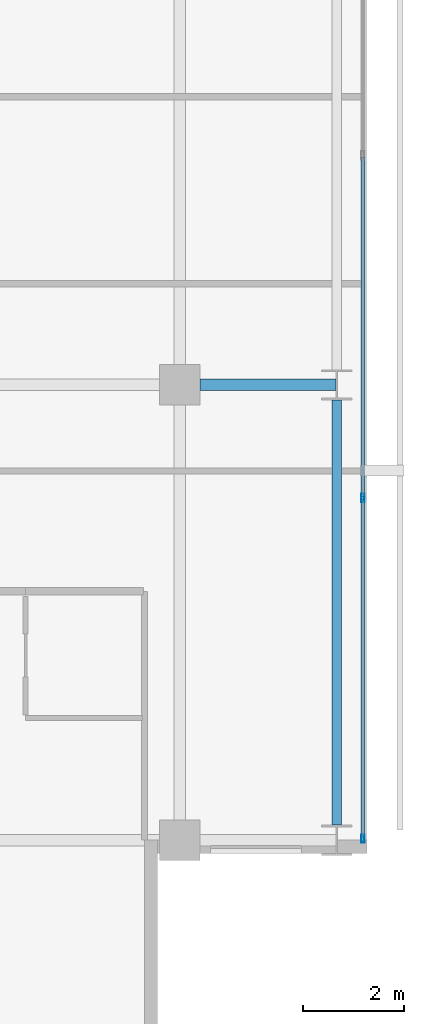
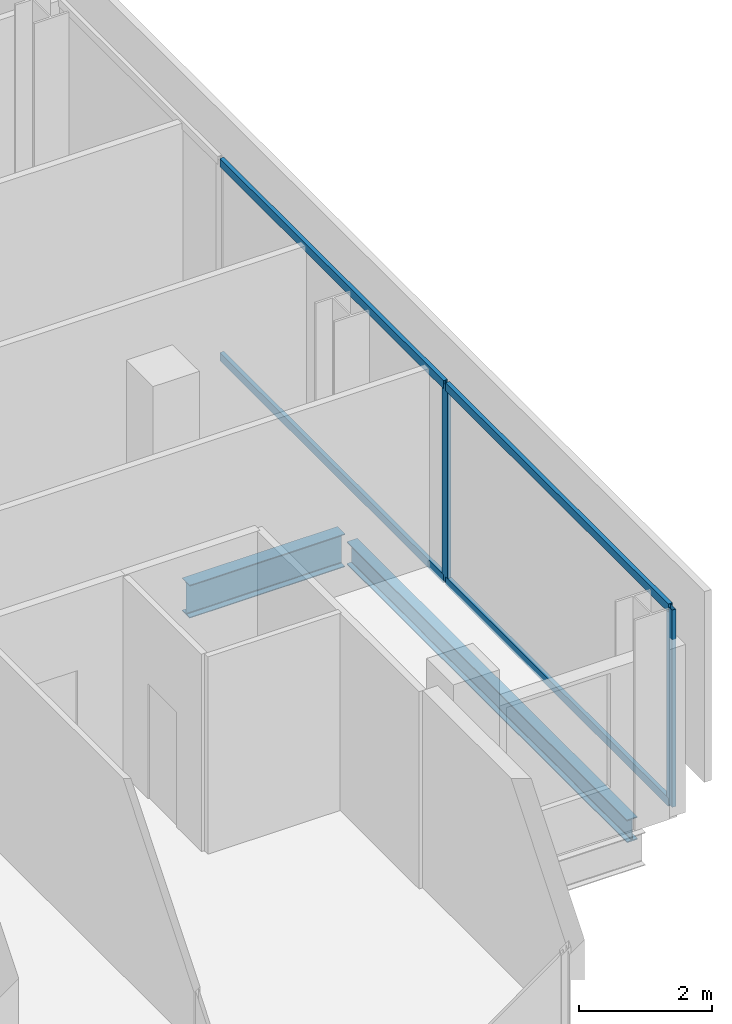
# One storey, part 15 of 34: 6 members, 2 beams, 1 element without a shape of its own.
"""IFC4 building model written with IfcOpenShell, lengths in metres."""

from ifc_helpers import new_model, si_unit, direction, frame, origin, origin_2d, place, context, subcontext, project, spatial, hollow_rectangle, i_section, extrude, material, layer, layer_set, material_profile, profile_set, type_object, element, aggregate, save


model = new_model("IFC4")

# Units and contexts
model_context = context("Model", 3, precision=1e-05, world=origin(), true_north=direction((0.0, 1.0)))
body_context = subcontext(model_context, "Body", "Model", "MODEL_VIEW")
ifc_project = project(units=[si_unit("LENGTHUNIT", "METRE"), si_unit("AREAUNIT", "SQUARE_METRE"), si_unit("VOLUMEUNIT", "CUBIC_METRE"), si_unit("PLANEANGLEUNIT", "RADIAN"), si_unit("MASSUNIT", "GRAM", prefix="KILO")], contexts=[model_context])

# Site, building, storey
site_placement = place(None, origin())
site = spatial("IfcSite", under=ifc_project, at=site_placement, CompositionType="ELEMENT")
building_placement = place(site_placement, origin())
building = spatial("IfcBuilding", under=site, at=building_placement, Name="Maruvema Waterfront Hotel and Observation Tower", CompositionType="ELEMENT")
storey_placement = place(building_placement, frame((0.0, 0.0, 192.85009765625)))
storey = spatial("IfcBuildingStorey", under=building, at=storey_placement, Name="L47", CompositionType="ELEMENT", Elevation=192.85009765625)

# Curtain wall, members
ifc_material_1 = material(Name="Anodised bronze aluminium and solar-control low-E IGU", Category="aluminium")
ifc_layer = layer(ifc_material_1, 0.159912109375, Name="Zone 2 Amber Inner Thermal Curtain Wall System CW-03")
ifc_layer_set = layer_set([ifc_layer], Name="Anodised bronze aluminium and solar-control low-E IGU")
curtain_wall_type = type_object("IfcCurtainWallType", Name="Zone 2 Amber Inner Thermal Curtain Wall System CW-03", PredefinedType="USERDEFINED", material=ifc_layer_set)
curtain_wall_placement = place(storey_placement, origin())
curtain_wall = element("IfcCurtainWall", 1, at=curtain_wall_placement, inside=storey, type_object=curtain_wall_type, Name="L47 Curtain Wall CW-L47-E", ObjectType="UNITISED CURTAIN WALL", PredefinedType="USERDEFINED")
ifc_material_2 = material(Name="Anodised architectural bronze aluminium", Category="aluminium")
ifc_material_profile_1 = material_profile(ifc_material_2, hollow_rectangle(XDim=0.070068359375, YDim=0.14990234375, WallThickness=0.00390625, at=origin_2d()), Name="ALU-T70x150")
ifc_profile_set_1 = profile_set([ifc_material_profile_1], Name="Anodised architectural bronze aluminium")
member_type_1 = type_object("IfcMemberType", Name="Curtain Wall Horizontal Transom ALU-T70x150", PredefinedType="USERDEFINED", material=ifc_profile_set_1)
member_1_placement = place(storey_placement, frame((62.419921875, 9.06005859375, 0.02978515625), z_axis=(0.0, 1.0, 0.0), x_axis=(-1.0, 0.0, 0.0)))
member_1 = element("IfcMember", 2, at=member_1_placement, type_object=member_type_1, Name="CW-03 transom 1.1", ObjectType="TRANSOM", PredefinedType="USERDEFINED", context=body_context, shape_type="SweptSolid", body=[
    extrude(hollow_rectangle(XDim=0.070068359375, YDim=0.14990234375, WallThickness=0.00390625, at=origin_2d()), origin(), (0.0, 0.0, 1.0), 6.676513671875),
])
member_2_placement = place(storey_placement, frame((62.419921875, 9.06005859375, 3.579833984375), z_axis=(0.0, 1.0, 0.0), x_axis=(-1.0, 0.0, 0.0)))
member_2 = element("IfcMember", 3, at=member_2_placement, type_object=member_type_1, Name="CW-03 transom 1.2", ObjectType="TRANSOM", PredefinedType="USERDEFINED", context=body_context, shape_type="SweptSolid", body=[
    extrude(hollow_rectangle(XDim=0.070068359375, YDim=0.14990234375, WallThickness=0.00390625, at=origin_2d()), origin(), (0.0, 0.0, 1.0), 6.676513671875),
])
member_3_placement = place(storey_placement, frame((62.419921875, 15.796630859375, 0.02978515625), z_axis=(0.0, 1.0, 0.0), x_axis=(-1.0, 0.0, 0.0)))
member_3 = element("IfcMember", 4, at=member_3_placement, type_object=member_type_1, Name="CW-03 transom 2.1", ObjectType="TRANSOM", PredefinedType="USERDEFINED", context=body_context, shape_type="SweptSolid", body=[
    extrude(hollow_rectangle(XDim=0.070068359375, YDim=0.14990234375, WallThickness=0.00390625, at=origin_2d()), origin(), (0.0, 0.0, 1.0), 6.706787109375),
])
member_4_placement = place(storey_placement, frame((62.419921875, 15.796630859375, 3.579833984375), z_axis=(0.0, 1.0, 0.0), x_axis=(-1.0, 0.0, 0.0)))
member_4 = element("IfcMember", 5, at=member_4_placement, type_object=member_type_1, Name="CW-03 transom 2.2", ObjectType="TRANSOM", PredefinedType="USERDEFINED", context=body_context, shape_type="SweptSolid", body=[
    extrude(hollow_rectangle(XDim=0.070068359375, YDim=0.14990234375, WallThickness=0.00390625, at=origin_2d()), origin(), (0.0, 0.0, 1.0), 6.706787109375),
])
ifc_material_3 = material(Name="Anodised architectural bronze aluminium", Category="aluminium")
ifc_material_profile_2 = material_profile(ifc_material_3, hollow_rectangle(XDim=0.06494140625, YDim=0.1650390625, WallThickness=0.00390625, at=origin_2d()), Name="ALU-M65x165")
ifc_profile_set_2 = profile_set([ifc_material_profile_2], Name="Anodised architectural bronze aluminium")
member_type_2 = type_object("IfcMemberType", Name="Curtain Wall Primary Mullion ALU-M65x165", PredefinedType="MULLION", material=ifc_profile_set_2)
member_5_placement = place(storey_placement, frame((62.419921875, 9.030029296875, 0.0), z_axis=(0.0, 0.0, 1.0), x_axis=(-1.0, 0.0, 0.0)))
member_5 = element("IfcMember", 6, at=member_5_placement, type_object=member_type_2, Name="CW-03 mullion 1", PredefinedType="MULLION", context=body_context, shape_type="SweptSolid", body=[
    extrude(hollow_rectangle(XDim=0.06494140625, YDim=0.1650390625, WallThickness=0.00390625, at=origin_2d()), origin(), (0.0, 0.0, 1.0), 3.60986328125),
])
member_6_placement = place(storey_placement, frame((62.419921875, 15.7666015625, 0.0), z_axis=(0.0, 0.0, 1.0), x_axis=(-1.0, 0.0, 0.0)))
member_6 = element("IfcMember", 7, at=member_6_placement, type_object=member_type_2, Name="CW-03 mullion 2", PredefinedType="MULLION", context=body_context, shape_type="SweptSolid", body=[
    extrude(hollow_rectangle(XDim=0.06494140625, YDim=0.1650390625, WallThickness=0.00390625, at=origin_2d()), origin(), (0.0, 0.0, 1.0), 3.60986328125),
])
aggregate(curtain_wall, [member_5, member_6, member_1, member_2, member_3, member_4])

# Beams
ifc_material_4 = material(Name="Steel ASTM A572 Grade 50", Category="steel")
ifc_material_profile_3 = material_profile(ifc_material_4, i_section(OverallWidth=0.180908203125, OverallDepth=0.4169921875, WebThickness=0.010986328125, FlangeThickness=0.018310546875, FilletRadius=0.014892578125, at=origin_2d()), Name="W410x85.0")
ifc_profile_set_3 = profile_set([ifc_material_profile_3], Name="Steel ASTM A572 Grade 50")
beam_type_1 = type_object("IfcBeamType", Name="Perimeter Spandrel Beam W410x85.0", PredefinedType="SPANDREL", material=ifc_profile_set_3)
beam_1_placement = place(storey_placement, frame((61.89990234375, 9.300048828125, -0.448486328125), z_axis=(0.0, 1.0, 0.0), x_axis=(-1.0, 0.0, 0.0)))
element("IfcBeam", 8, at=beam_1_placement, inside=storey, type_object=beam_type_1, Name="L47 Floor Girder NS-29", PredefinedType="SPANDREL", context=body_context, shape_type="SweptSolid", body=[
    extrude(i_section(OverallWidth=0.180908203125, OverallDepth=0.4169921875, WebThickness=0.010986328125, FlangeThickness=0.018310546875, FilletRadius=0.014892578125, at=origin_2d()), origin(), (0.0, 0.0, 1.0), 8.39990234375),
])
ifc_material_5 = material(Name="Steel ASTM A572 Grade 50", Category="steel")
ifc_material_profile_4 = material_profile(ifc_material_5, i_section(OverallWidth=0.22802734375, OverallDepth=0.60302734375, WebThickness=0.010498046875, FlangeThickness=0.014892578125, FilletRadius=0.01806640625, at=origin_2d()), Name="W610x101.0")
ifc_profile_set_4 = profile_set([ifc_material_profile_4], Name="Steel ASTM A572 Grade 50")
beam_type_2 = type_object("IfcBeamType", Name="Primary Floor Girder W610x101.0", PredefinedType="BEAM", material=ifc_profile_set_4)
beam_2_placement = place(storey_placement, frame((59.199951171875, 18.0, -0.54150390625), z_axis=(1.0, 0.0, 0.0), x_axis=(0.0, 1.0, 0.0)))
element("IfcBeam", 9, at=beam_2_placement, inside=storey, type_object=beam_type_2, Name="L47 Floor Girder EW-17", PredefinedType="BEAM", context=body_context, shape_type="SweptSolid", body=[
    extrude(i_section(OverallWidth=0.22802734375, OverallDepth=0.60302734375, WebThickness=0.010498046875, FlangeThickness=0.014892578125, FilletRadius=0.01806640625, at=origin_2d()), origin(), (0.0, 0.0, 1.0), 2.6875),
])

save(model, "model.ifc")
